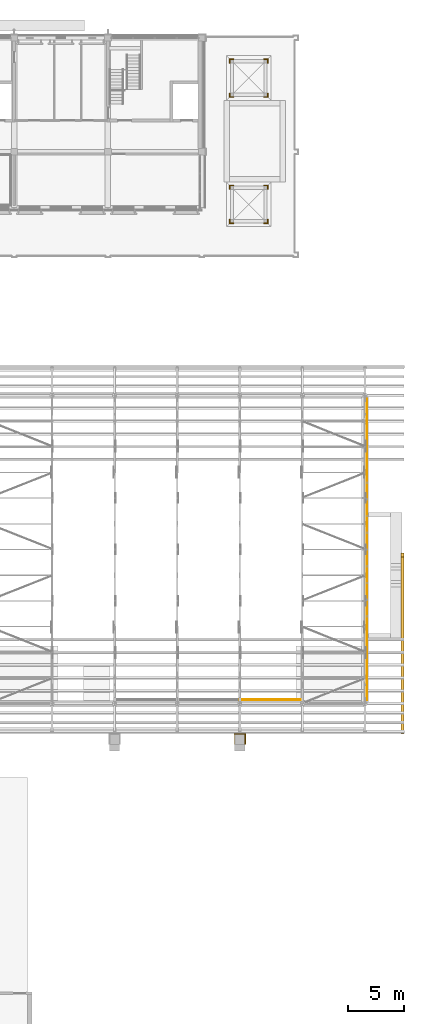
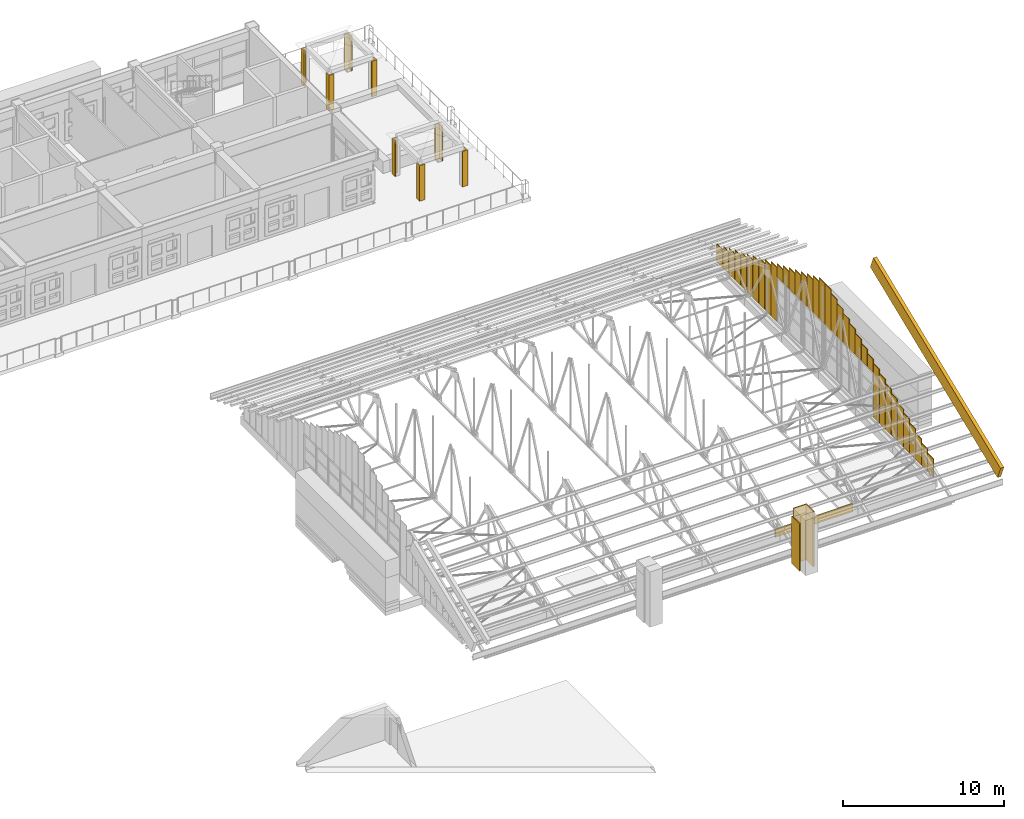
# One storey, part 70 of 71: 36 shading devices, 12 coverings.
"""IFC4 building model written with IfcOpenShell, lengths in metres."""

from ifc_helpers import new_model, si_unit, direction, frame, origin, origin_2d, place, context, subcontext, project, spatial, polyline, rectangle, outline, extrude, material, layer, layer_set, material_profile, profile_set, type_object, element, save


model = new_model("IFC4")

# Units and contexts
model_context = context("Model", 3, precision=1e-05, world=origin(), true_north=direction((0.0, 1.0)))
body_context = subcontext(model_context, "Body", "Model", "MODEL_VIEW")
ifc_project = project(units=[si_unit("LENGTHUNIT", "METRE"), si_unit("AREAUNIT", "SQUARE_METRE"), si_unit("VOLUMEUNIT", "CUBIC_METRE"), si_unit("PLANEANGLEUNIT", "RADIAN"), si_unit("MASSUNIT", "GRAM", prefix="KILO")], contexts=[model_context])

# Site, building, storey
site_placement = place(None, origin())
site = spatial("IfcSite", under=ifc_project, at=site_placement, CompositionType="ELEMENT")
building_placement = place(site_placement, origin())
building = spatial("IfcBuilding", under=site, at=building_placement, Name="Wasatch Bagh Community Centre", CompositionType="ELEMENT")
storey_placement = place(building_placement, frame((0.0, 0.0, 12.60009765625)))
storey = spatial("IfcBuildingStorey", under=building, at=storey_placement, Name="L03", CompositionType="ELEMENT", Elevation=12.60009765625)

# Coverings
ifc_material_1 = material(Name="Cast stone cladding", Category="masonry")
ifc_layer_1 = layer(ifc_material_1, 0.080078125)
ifc_layer_set_1 = layer_set([ifc_layer_1], Name="Cast stone cladding")
covering_type_1 = type_object("IfcCoveringType", Name="CL-B7 beam facing", PredefinedType="CLADDING", material=ifc_layer_set_1)
covering_1_placement = place(storey_placement, origin())
element("IfcCovering", 1, at=covering_1_placement, inside=storey, type_object=covering_type_1, Name="Beam facing", PredefinedType="CLADDING", context=body_context, shape_type="SweptSolid", body=[
    extrude(outline(polyline([(134.60009765625, 38.5), (140.199951171875, 38.5), (140.199951171875, 38.580078125), (134.60009765625, 38.580078125), (134.60009765625, 38.5)])), origin(), (0.0, 0.0, 1.0), 0.599853515625),
])
ifc_layer_2 = layer(ifc_material_1, 0.080078125)
ifc_layer_set_2 = layer_set([ifc_layer_2], Name="Cast stone cladding")
covering_type_2 = type_object("IfcCoveringType", Name="CL-C1 column facing", PredefinedType="CLADDING", material=ifc_layer_set_2)
covering_2_placement = place(storey_placement, origin())
element("IfcCovering", 2, at=covering_2_placement, inside=storey, type_object=covering_type_2, Name="Column facing", PredefinedType="CLADDING", context=body_context, shape_type="SweptSolid", body=[
    extrude(outline(polyline([(134.070068359375, 34.550048828125), (134.070068359375, 35.530029296875), (135.1298828125, 35.530029296875), (135.1298828125, 35.449951171875), (135.1298828125, 34.550048828125), (135.050048828125, 34.550048828125), (135.050048828125, 35.449951171875), (134.14990234375, 35.449951171875), (134.14990234375, 34.550048828125), (134.070068359375, 34.550048828125)])), origin(), (0.0, 0.0, 1.0), 3.599853515625),
])
covering_3_placement = place(storey_placement, frame((0.0, 0.0, 3.599853515625)))
element("IfcCovering", 3, at=covering_3_placement, inside=storey, type_object=covering_type_2, Name="Column facing", PredefinedType="CLADDING", context=body_context, shape_type="SweptSolid", body=[
    extrude(outline(polyline([(135.050048828125, 35.449951171875), (134.14990234375, 35.449951171875), (134.14990234375, 35.530029296875), (135.1298828125, 35.530029296875), (135.1298828125, 35.449951171875), (135.1298828125, 34.550048828125), (135.050048828125, 34.550048828125), (135.050048828125, 35.449951171875)])), origin(), (0.0, 0.0, 1.0), 0.60009765625),
])
covering_4_placement = place(storey_placement, origin())
element("IfcCovering", 4, at=covering_4_placement, inside=storey, type_object=covering_type_2, Name="Column facing", PredefinedType="CLADDING", context=body_context, shape_type="SweptSolid", body=[
    extrude(outline(polyline([(137.050048828125, 84.550048828125), (136.75, 84.550048828125), (136.75, 84.6298828125), (137.1298828125, 84.6298828125), (137.1298828125, 84.25), (137.050048828125, 84.25), (137.050048828125, 84.550048828125)])), origin(), (0.0, 0.0, 1.0), 2.699951171875),
])
covering_5_placement = place(storey_placement, origin())
element("IfcCovering", 5, at=covering_5_placement, inside=storey, type_object=covering_type_2, Name="Column facing", PredefinedType="CLADDING", context=body_context, shape_type="SweptSolid", body=[
    extrude(outline(polyline([(137.050048828125, 81.25), (137.050048828125, 81.550048828125), (137.1298828125, 81.550048828125), (137.1298828125, 81.169921875), (136.75, 81.169921875), (136.75, 81.25), (137.050048828125, 81.25)])), origin(), (0.0, 0.0, 1.0), 2.699951171875),
])
covering_6_placement = place(storey_placement, origin())
element("IfcCovering", 6, at=covering_6_placement, inside=storey, type_object=covering_type_2, Name="Column facing", PredefinedType="CLADDING", context=body_context, shape_type="SweptSolid", body=[
    extrude(outline(polyline([(133.75, 84.25), (133.669921875, 84.25), (133.669921875, 84.6298828125), (134.050048828125, 84.6298828125), (134.050048828125, 84.550048828125), (133.75, 84.550048828125), (133.75, 84.25)])), origin(), (0.0, 0.0, 1.0), 2.699951171875),
])
covering_7_placement = place(storey_placement, origin())
element("IfcCovering", 7, at=covering_7_placement, inside=storey, type_object=covering_type_2, Name="Column facing", PredefinedType="CLADDING", context=body_context, shape_type="SweptSolid", body=[
    extrude(outline(polyline([(133.669921875, 81.169921875), (133.669921875, 81.550048828125), (133.75, 81.550048828125), (133.75, 81.25), (134.050048828125, 81.25), (134.050048828125, 81.169921875), (133.669921875, 81.169921875)])), origin(), (0.0, 0.0, 1.0), 2.699951171875),
])
covering_8_placement = place(storey_placement, origin())
element("IfcCovering", 8, at=covering_8_placement, inside=storey, type_object=covering_type_2, Name="Column facing", PredefinedType="CLADDING", context=body_context, shape_type="SweptSolid", body=[
    extrude(outline(polyline([(137.050048828125, 95.85009765625), (136.75, 95.85009765625), (136.75, 95.929931640625), (137.1298828125, 95.929931640625), (137.1298828125, 95.550048828125), (137.050048828125, 95.550048828125), (137.050048828125, 95.85009765625)])), origin(), (0.0, 0.0, 1.0), 2.699951171875),
])
covering_9_placement = place(storey_placement, origin())
element("IfcCovering", 9, at=covering_9_placement, inside=storey, type_object=covering_type_2, Name="Column facing", PredefinedType="CLADDING", context=body_context, shape_type="SweptSolid", body=[
    extrude(outline(polyline([(137.050048828125, 92.550048828125), (137.050048828125, 92.85009765625), (137.1298828125, 92.85009765625), (137.1298828125, 92.469970703125), (136.75, 92.469970703125), (136.75, 92.550048828125), (137.050048828125, 92.550048828125)])), origin(), (0.0, 0.0, 1.0), 2.699951171875),
])
covering_10_placement = place(storey_placement, origin())
element("IfcCovering", 10, at=covering_10_placement, inside=storey, type_object=covering_type_2, Name="Column facing", PredefinedType="CLADDING", context=body_context, shape_type="SweptSolid", body=[
    extrude(outline(polyline([(133.75, 95.550048828125), (133.669921875, 95.550048828125), (133.669921875, 95.929931640625), (134.050048828125, 95.929931640625), (134.050048828125, 95.85009765625), (133.75, 95.85009765625), (133.75, 95.550048828125)])), origin(), (0.0, 0.0, 1.0), 2.699951171875),
])
covering_11_placement = place(storey_placement, origin())
element("IfcCovering", 11, at=covering_11_placement, inside=storey, type_object=covering_type_2, Name="Column facing", PredefinedType="CLADDING", context=body_context, shape_type="SweptSolid", body=[
    extrude(outline(polyline([(133.669921875, 92.469970703125), (133.669921875, 92.85009765625), (133.75, 92.85009765625), (133.75, 92.550048828125), (134.050048828125, 92.550048828125), (134.050048828125, 92.469970703125), (133.669921875, 92.469970703125)])), origin(), (0.0, 0.0, 1.0), 2.699951171875),
])

# Shading devices
ifc_material_2 = material(Name="Precast concrete C40/50", Category="concrete")
ifc_layer_3 = layer(ifc_material_2, 0.050048828125)
ifc_layer_set_3 = layer_set([ifc_layer_3], Name="Precast concrete C40/50")
shading_device_type = type_object("IfcShadingDeviceType", Name="SH gable jali screen 50", PredefinedType="USERDEFINED", material=ifc_layer_set_3)
shading_device_1_placement = place(storey_placement, frame((146.0, 38.875, 0.60009765625), z_axis=(0.0, 0.0, 1.0), x_axis=(1.0, 0.0, 0.0)))
element("IfcShadingDevice", 12, at=shading_device_1_placement, inside=storey, type_object=shading_device_type, Name="Gable jali screen", ObjectType="Gable jali screen", PredefinedType="USERDEFINED", context=body_context, shape_type="SweptSolid", body=[
    extrude(rectangle(XDim=0.050048828125, YDim=0.72998046875, at=origin_2d()), origin(), (0.0, 0.0, 1.0), 1.370361328125),
])
shading_device_2_placement = place(storey_placement, frame((146.0, 39.625, 0.599853515625), z_axis=(0.0, 0.0, 1.0), x_axis=(1.0, 0.0, 0.0)))
element("IfcShadingDevice", 13, at=shading_device_2_placement, inside=storey, type_object=shading_device_type, Name="Gable jali screen", ObjectType="Gable jali screen", PredefinedType="USERDEFINED", context=body_context, shape_type="SweptSolid", body=[
    extrude(rectangle(XDim=0.050048828125, YDim=0.72998046875, at=origin_2d()), origin(), (0.0, 0.0, 1.0), 1.67333984375),
])
shading_device_3_placement = place(storey_placement, frame((146.0, 40.375, 0.60009765625), z_axis=(0.0, 0.0, 1.0), x_axis=(1.0, 0.0, 0.0)))
element("IfcShadingDevice", 14, at=shading_device_3_placement, inside=storey, type_object=shading_device_type, Name="Gable jali screen", ObjectType="Gable jali screen", PredefinedType="USERDEFINED", context=body_context, shape_type="SweptSolid", body=[
    extrude(rectangle(XDim=0.050048828125, YDim=0.72998046875, at=origin_2d()), origin(), (0.0, 0.0, 1.0), 1.976318359375),
])
shading_device_4_placement = place(storey_placement, frame((146.0, 41.125, 0.599609375), z_axis=(0.0, 0.0, 1.0), x_axis=(1.0, 0.0, 0.0)))
element("IfcShadingDevice", 15, at=shading_device_4_placement, inside=storey, type_object=shading_device_type, Name="Gable jali screen", ObjectType="Gable jali screen", PredefinedType="USERDEFINED", context=body_context, shape_type="SweptSolid", body=[
    extrude(rectangle(XDim=0.050048828125, YDim=0.72998046875, at=origin_2d()), origin(), (0.0, 0.0, 1.0), 2.279541015625),
])
shading_device_5_placement = place(storey_placement, frame((146.0, 41.875, 0.599853515625), z_axis=(0.0, 0.0, 1.0), x_axis=(1.0, 0.0, 0.0)))
element("IfcShadingDevice", 16, at=shading_device_5_placement, inside=storey, type_object=shading_device_type, Name="Gable jali screen", ObjectType="Gable jali screen", PredefinedType="USERDEFINED", context=body_context, shape_type="SweptSolid", body=[
    extrude(rectangle(XDim=0.050048828125, YDim=0.72998046875, at=origin_2d()), origin(), (0.0, 0.0, 1.0), 2.58251953125),
])
shading_device_6_placement = place(storey_placement, frame((146.0, 42.625, 0.60009765625), z_axis=(0.0, 0.0, 1.0), x_axis=(1.0, 0.0, 0.0)))
element("IfcShadingDevice", 17, at=shading_device_6_placement, inside=storey, type_object=shading_device_type, Name="Gable jali screen", ObjectType="Gable jali screen", PredefinedType="USERDEFINED", context=body_context, shape_type="SweptSolid", body=[
    extrude(rectangle(XDim=0.050048828125, YDim=0.72998046875, at=origin_2d()), origin(), (0.0, 0.0, 1.0), 2.885498046875),
])
shading_device_7_placement = place(storey_placement, frame((146.0, 43.375, 0.599853515625), z_axis=(0.0, 0.0, 1.0), x_axis=(1.0, 0.0, 0.0)))
element("IfcShadingDevice", 18, at=shading_device_7_placement, inside=storey, type_object=shading_device_type, Name="Gable jali screen", ObjectType="Gable jali screen", PredefinedType="USERDEFINED", context=body_context, shape_type="SweptSolid", body=[
    extrude(rectangle(XDim=0.050048828125, YDim=0.72998046875, at=origin_2d()), origin(), (0.0, 0.0, 1.0), 3.1884765625),
])
shading_device_8_placement = place(storey_placement, frame((146.0, 44.125, 0.60009765625), z_axis=(0.0, 0.0, 1.0), x_axis=(1.0, 0.0, 0.0)))
element("IfcShadingDevice", 19, at=shading_device_8_placement, inside=storey, type_object=shading_device_type, Name="Gable jali screen", ObjectType="Gable jali screen", PredefinedType="USERDEFINED", context=body_context, shape_type="SweptSolid", body=[
    extrude(rectangle(XDim=0.050048828125, YDim=0.72998046875, at=origin_2d()), origin(), (0.0, 0.0, 1.0), 3.491455078125),
])
shading_device_9_placement = place(storey_placement, frame((146.0, 44.875, 0.599853515625), z_axis=(0.0, 0.0, 1.0), x_axis=(1.0, 0.0, 0.0)))
element("IfcShadingDevice", 20, at=shading_device_9_placement, inside=storey, type_object=shading_device_type, Name="Gable jali screen", ObjectType="Gable jali screen", PredefinedType="USERDEFINED", context=body_context, shape_type="SweptSolid", body=[
    extrude(rectangle(XDim=0.050048828125, YDim=0.72998046875, at=origin_2d()), origin(), (0.0, 0.0, 1.0), 3.79443359375),
])
shading_device_10_placement = place(storey_placement, frame((146.0, 45.625, 0.599853515625), z_axis=(0.0, 0.0, 1.0), x_axis=(1.0, 0.0, 0.0)))
element("IfcShadingDevice", 21, at=shading_device_10_placement, inside=storey, type_object=shading_device_type, Name="Gable jali screen", ObjectType="Gable jali screen", PredefinedType="USERDEFINED", context=body_context, shape_type="SweptSolid", body=[
    extrude(rectangle(XDim=0.050048828125, YDim=0.72998046875, at=origin_2d()), origin(), (0.0, 0.0, 1.0), 4.09765625),
])
shading_device_11_placement = place(storey_placement, frame((146.0, 46.375, 4.0), z_axis=(0.0, 0.0, 1.0), x_axis=(1.0, 0.0, 0.0)))
element("IfcShadingDevice", 22, at=shading_device_11_placement, inside=storey, type_object=shading_device_type, Name="Gable jali screen", ObjectType="Gable jali screen", PredefinedType="USERDEFINED", context=body_context, shape_type="SweptSolid", body=[
    extrude(rectangle(XDim=0.050048828125, YDim=0.72998046875, at=origin_2d()), origin(), (0.0, 0.0, 1.0), 1.00048828125),
])
shading_device_12_placement = place(storey_placement, frame((146.0, 47.125, 4.0), z_axis=(0.0, 0.0, 1.0), x_axis=(1.0, 0.0, 0.0)))
element("IfcShadingDevice", 23, at=shading_device_12_placement, inside=storey, type_object=shading_device_type, Name="Gable jali screen", ObjectType="Gable jali screen", PredefinedType="USERDEFINED", context=body_context, shape_type="SweptSolid", body=[
    extrude(rectangle(XDim=0.050048828125, YDim=0.72998046875, at=origin_2d()), origin(), (0.0, 0.0, 1.0), 1.303466796875),
])
shading_device_13_placement = place(storey_placement, frame((146.0, 47.875, 4.0), z_axis=(0.0, 0.0, 1.0), x_axis=(1.0, 0.0, 0.0)))
element("IfcShadingDevice", 24, at=shading_device_13_placement, inside=storey, type_object=shading_device_type, Name="Gable jali screen", ObjectType="Gable jali screen", PredefinedType="USERDEFINED", context=body_context, shape_type="SweptSolid", body=[
    extrude(rectangle(XDim=0.050048828125, YDim=0.72998046875, at=origin_2d()), origin(), (0.0, 0.0, 1.0), 1.606689453125),
])
shading_device_14_placement = place(storey_placement, frame((146.0, 48.625, 4.0), z_axis=(0.0, 0.0, 1.0), x_axis=(1.0, 0.0, 0.0)))
element("IfcShadingDevice", 25, at=shading_device_14_placement, inside=storey, type_object=shading_device_type, Name="Gable jali screen", ObjectType="Gable jali screen", PredefinedType="USERDEFINED", context=body_context, shape_type="SweptSolid", body=[
    extrude(rectangle(XDim=0.050048828125, YDim=0.72998046875, at=origin_2d()), origin(), (0.0, 0.0, 1.0), 1.90966796875),
])
shading_device_15_placement = place(storey_placement, frame((146.0, 49.375, 4.0), z_axis=(0.0, 0.0, 1.0), x_axis=(1.0, 0.0, 0.0)))
element("IfcShadingDevice", 26, at=shading_device_15_placement, inside=storey, type_object=shading_device_type, Name="Gable jali screen", ObjectType="Gable jali screen", PredefinedType="USERDEFINED", context=body_context, shape_type="SweptSolid", body=[
    extrude(rectangle(XDim=0.050048828125, YDim=0.72998046875, at=origin_2d()), origin(), (0.0, 0.0, 1.0), 2.212646484375),
])
shading_device_16_placement = place(storey_placement, frame((146.0, 50.125, 4.0), z_axis=(0.0, 0.0, 1.0), x_axis=(1.0, 0.0, 0.0)))
element("IfcShadingDevice", 27, at=shading_device_16_placement, inside=storey, type_object=shading_device_type, Name="Gable jali screen", ObjectType="Gable jali screen", PredefinedType="USERDEFINED", context=body_context, shape_type="SweptSolid", body=[
    extrude(rectangle(XDim=0.050048828125, YDim=0.72998046875, at=origin_2d()), origin(), (0.0, 0.0, 1.0), 2.515625),
])
shading_device_17_placement = place(storey_placement, frame((146.0, 50.875, 4.0), z_axis=(0.0, 0.0, 1.0), x_axis=(1.0, 0.0, 0.0)))
element("IfcShadingDevice", 28, at=shading_device_17_placement, inside=storey, type_object=shading_device_type, Name="Gable jali screen", ObjectType="Gable jali screen", PredefinedType="USERDEFINED", context=body_context, shape_type="SweptSolid", body=[
    extrude(rectangle(XDim=0.050048828125, YDim=0.72998046875, at=origin_2d()), origin(), (0.0, 0.0, 1.0), 2.818603515625),
])
for number, where, z_axis, x_axis, name in (
    (29, (146.0, 51.625, 4.0), (0.0, 0.0, 1.0), (1.0, 0.0, 0.0), "Gable jali screen"),
    (30, (146.0, 52.375, 4.0), (0.0, 0.0, 1.0), (1.0, 0.0, 0.0), "Gable jali screen"),
):
    element("IfcShadingDevice", number, at=place(storey_placement, frame(where, z_axis=z_axis, x_axis=x_axis)), inside=storey, type_object=shading_device_type, Name=name, ObjectType="Gable jali screen", PredefinedType="USERDEFINED", context=body_context, shape_type="SweptSolid", body=[
        extrude(rectangle(XDim=0.050048828125, YDim=0.72998046875, at=origin_2d()), origin(), (0.0, 0.0, 1.0), 3.12158203125),
    ])
shading_device_18_placement = place(storey_placement, frame((146.0, 53.125, 4.0), z_axis=(0.0, 0.0, 1.0), x_axis=(1.0, 0.0, 0.0)))
element("IfcShadingDevice", 31, at=shading_device_18_placement, inside=storey, type_object=shading_device_type, Name="Gable jali screen", ObjectType="Gable jali screen", PredefinedType="USERDEFINED", context=body_context, shape_type="SweptSolid", body=[
    extrude(rectangle(XDim=0.050048828125, YDim=0.72998046875, at=origin_2d()), origin(), (0.0, 0.0, 1.0), 2.818603515625),
])
shading_device_19_placement = place(storey_placement, frame((146.0, 53.875, 4.0), z_axis=(0.0, 0.0, 1.0), x_axis=(1.0, 0.0, 0.0)))
element("IfcShadingDevice", 32, at=shading_device_19_placement, inside=storey, type_object=shading_device_type, Name="Gable jali screen", ObjectType="Gable jali screen", PredefinedType="USERDEFINED", context=body_context, shape_type="SweptSolid", body=[
    extrude(rectangle(XDim=0.050048828125, YDim=0.72998046875, at=origin_2d()), origin(), (0.0, 0.0, 1.0), 2.515625),
])
shading_device_20_placement = place(storey_placement, frame((146.0, 54.625, 4.0), z_axis=(0.0, 0.0, 1.0), x_axis=(1.0, 0.0, 0.0)))
element("IfcShadingDevice", 33, at=shading_device_20_placement, inside=storey, type_object=shading_device_type, Name="Gable jali screen", ObjectType="Gable jali screen", PredefinedType="USERDEFINED", context=body_context, shape_type="SweptSolid", body=[
    extrude(rectangle(XDim=0.050048828125, YDim=0.72998046875, at=origin_2d()), origin(), (0.0, 0.0, 1.0), 2.212646484375),
])
shading_device_21_placement = place(storey_placement, frame((146.0, 55.375, 4.0), z_axis=(0.0, 0.0, 1.0), x_axis=(1.0, 0.0, 0.0)))
element("IfcShadingDevice", 34, at=shading_device_21_placement, inside=storey, type_object=shading_device_type, Name="Gable jali screen", ObjectType="Gable jali screen", PredefinedType="USERDEFINED", context=body_context, shape_type="SweptSolid", body=[
    extrude(rectangle(XDim=0.050048828125, YDim=0.72998046875, at=origin_2d()), origin(), (0.0, 0.0, 1.0), 1.90966796875),
])
shading_device_22_placement = place(storey_placement, frame((146.0, 56.125, 4.0), z_axis=(0.0, 0.0, 1.0), x_axis=(1.0, 0.0, 0.0)))
element("IfcShadingDevice", 35, at=shading_device_22_placement, inside=storey, type_object=shading_device_type, Name="Gable jali screen", ObjectType="Gable jali screen", PredefinedType="USERDEFINED", context=body_context, shape_type="SweptSolid", body=[
    extrude(rectangle(XDim=0.050048828125, YDim=0.72998046875, at=origin_2d()), origin(), (0.0, 0.0, 1.0), 1.606689453125),
])
shading_device_23_placement = place(storey_placement, frame((146.0, 56.875, 4.0), z_axis=(0.0, 0.0, 1.0), x_axis=(1.0, 0.0, 0.0)))
element("IfcShadingDevice", 36, at=shading_device_23_placement, inside=storey, type_object=shading_device_type, Name="Gable jali screen", ObjectType="Gable jali screen", PredefinedType="USERDEFINED", context=body_context, shape_type="SweptSolid", body=[
    extrude(rectangle(XDim=0.050048828125, YDim=0.72998046875, at=origin_2d()), origin(), (0.0, 0.0, 1.0), 1.303466796875),
])
shading_device_24_placement = place(storey_placement, frame((146.0, 57.625, 4.0), z_axis=(0.0, 0.0, 1.0), x_axis=(1.0, 0.0, 0.0)))
element("IfcShadingDevice", 37, at=shading_device_24_placement, inside=storey, type_object=shading_device_type, Name="Gable jali screen", ObjectType="Gable jali screen", PredefinedType="USERDEFINED", context=body_context, shape_type="SweptSolid", body=[
    extrude(rectangle(XDim=0.050048828125, YDim=0.72998046875, at=origin_2d()), origin(), (0.0, 0.0, 1.0), 1.00048828125),
])
shading_device_25_placement = place(storey_placement, frame((146.0, 58.375, 0.599853515625), z_axis=(0.0, 0.0, 1.0), x_axis=(1.0, 0.0, 0.0)))
element("IfcShadingDevice", 38, at=shading_device_25_placement, inside=storey, type_object=shading_device_type, Name="Gable jali screen", ObjectType="Gable jali screen", PredefinedType="USERDEFINED", context=body_context, shape_type="SweptSolid", body=[
    extrude(rectangle(XDim=0.050048828125, YDim=0.72998046875, at=origin_2d()), origin(), (0.0, 0.0, 1.0), 4.09765625),
])
shading_device_26_placement = place(storey_placement, frame((146.0, 59.125, 0.599853515625), z_axis=(0.0, 0.0, 1.0), x_axis=(1.0, 0.0, 0.0)))
element("IfcShadingDevice", 39, at=shading_device_26_placement, inside=storey, type_object=shading_device_type, Name="Gable jali screen", ObjectType="Gable jali screen", PredefinedType="USERDEFINED", context=body_context, shape_type="SweptSolid", body=[
    extrude(rectangle(XDim=0.050048828125, YDim=0.72998046875, at=origin_2d()), origin(), (0.0, 0.0, 1.0), 3.79443359375),
])
shading_device_27_placement = place(storey_placement, frame((146.0, 59.875, 0.60009765625), z_axis=(0.0, 0.0, 1.0), x_axis=(1.0, 0.0, 0.0)))
element("IfcShadingDevice", 40, at=shading_device_27_placement, inside=storey, type_object=shading_device_type, Name="Gable jali screen", ObjectType="Gable jali screen", PredefinedType="USERDEFINED", context=body_context, shape_type="SweptSolid", body=[
    extrude(rectangle(XDim=0.050048828125, YDim=0.72998046875, at=origin_2d()), origin(), (0.0, 0.0, 1.0), 3.491455078125),
])
shading_device_28_placement = place(storey_placement, frame((146.0, 60.625, 0.599853515625), z_axis=(0.0, 0.0, 1.0), x_axis=(1.0, 0.0, 0.0)))
element("IfcShadingDevice", 41, at=shading_device_28_placement, inside=storey, type_object=shading_device_type, Name="Gable jali screen", ObjectType="Gable jali screen", PredefinedType="USERDEFINED", context=body_context, shape_type="SweptSolid", body=[
    extrude(rectangle(XDim=0.050048828125, YDim=0.72998046875, at=origin_2d()), origin(), (0.0, 0.0, 1.0), 3.1884765625),
])
shading_device_29_placement = place(storey_placement, frame((146.0, 61.375, 0.60009765625), z_axis=(0.0, 0.0, 1.0), x_axis=(1.0, 0.0, 0.0)))
element("IfcShadingDevice", 42, at=shading_device_29_placement, inside=storey, type_object=shading_device_type, Name="Gable jali screen", ObjectType="Gable jali screen", PredefinedType="USERDEFINED", context=body_context, shape_type="SweptSolid", body=[
    extrude(rectangle(XDim=0.050048828125, YDim=0.72998046875, at=origin_2d()), origin(), (0.0, 0.0, 1.0), 2.885498046875),
])
shading_device_30_placement = place(storey_placement, frame((146.0, 62.125, 0.599853515625), z_axis=(0.0, 0.0, 1.0), x_axis=(1.0, 0.0, 0.0)))
element("IfcShadingDevice", 43, at=shading_device_30_placement, inside=storey, type_object=shading_device_type, Name="Gable jali screen", ObjectType="Gable jali screen", PredefinedType="USERDEFINED", context=body_context, shape_type="SweptSolid", body=[
    extrude(rectangle(XDim=0.050048828125, YDim=0.72998046875, at=origin_2d()), origin(), (0.0, 0.0, 1.0), 2.58251953125),
])
shading_device_31_placement = place(storey_placement, frame((146.0, 62.875, 0.599609375), z_axis=(0.0, 0.0, 1.0), x_axis=(1.0, 0.0, 0.0)))
element("IfcShadingDevice", 44, at=shading_device_31_placement, inside=storey, type_object=shading_device_type, Name="Gable jali screen", ObjectType="Gable jali screen", PredefinedType="USERDEFINED", context=body_context, shape_type="SweptSolid", body=[
    extrude(rectangle(XDim=0.050048828125, YDim=0.72998046875, at=origin_2d()), origin(), (0.0, 0.0, 1.0), 2.279541015625),
])
shading_device_32_placement = place(storey_placement, frame((146.0, 63.625, 0.60009765625), z_axis=(0.0, 0.0, 1.0), x_axis=(1.0, 0.0, 0.0)))
element("IfcShadingDevice", 45, at=shading_device_32_placement, inside=storey, type_object=shading_device_type, Name="Gable jali screen", ObjectType="Gable jali screen", PredefinedType="USERDEFINED", context=body_context, shape_type="SweptSolid", body=[
    extrude(rectangle(XDim=0.050048828125, YDim=0.72998046875, at=origin_2d()), origin(), (0.0, 0.0, 1.0), 1.976318359375),
])
shading_device_33_placement = place(storey_placement, frame((146.0, 64.375, 0.599853515625), z_axis=(0.0, 0.0, 1.0), x_axis=(1.0, 0.0, 0.0)))
element("IfcShadingDevice", 46, at=shading_device_33_placement, inside=storey, type_object=shading_device_type, Name="Gable jali screen", ObjectType="Gable jali screen", PredefinedType="USERDEFINED", context=body_context, shape_type="SweptSolid", body=[
    extrude(rectangle(XDim=0.050048828125, YDim=0.72998046875, at=origin_2d()), origin(), (0.0, 0.0, 1.0), 1.67333984375),
])
shading_device_34_placement = place(storey_placement, frame((146.0, 65.125, 0.60009765625), z_axis=(0.0, 0.0, 1.0), x_axis=(1.0, 0.0, 0.0)))
element("IfcShadingDevice", 47, at=shading_device_34_placement, inside=storey, type_object=shading_device_type, Name="Gable jali screen", ObjectType="Gable jali screen", PredefinedType="USERDEFINED", context=body_context, shape_type="SweptSolid", body=[
    extrude(rectangle(XDim=0.050048828125, YDim=0.72998046875, at=origin_2d()), origin(), (0.0, 0.0, 1.0), 1.370361328125),
])

# Covering
ifc_material_3 = material(Name="Glass-fibre reinforced concrete", Category="concrete")
ifc_material_profile = material_profile(ifc_material_3, rectangle(XDim=0.25, YDim=1.0, at=origin_2d()), Name="PARAPET 250x1000")
ifc_profile_set = profile_set([ifc_material_profile], Name="Glass-fibre reinforced concrete")
covering_type_3 = type_object("IfcCoveringType", Name="SH gable parapet 250x1000", PredefinedType="CLADDING", material=ifc_profile_set)
covering_12_placement = place(storey_placement, frame((149.175048828125, 35.66259765625, 1.554931640625), z_axis=(0.0, 0.927184800181, 0.37460425293), x_axis=(-1.0, 0.0, 0.0)))
element("IfcCovering", 48, at=covering_12_placement, inside=storey, type_object=covering_type_3, Name="Gable parapet E 3", PredefinedType="CLADDING", context=body_context, shape_type="SweptSolid", body=[
    extrude(rectangle(XDim=0.25, YDim=1.0, at=origin_2d()), origin(), (0.0, 0.0, 1.0), 17.094970703125),
])

save(model, "model.ifc")
